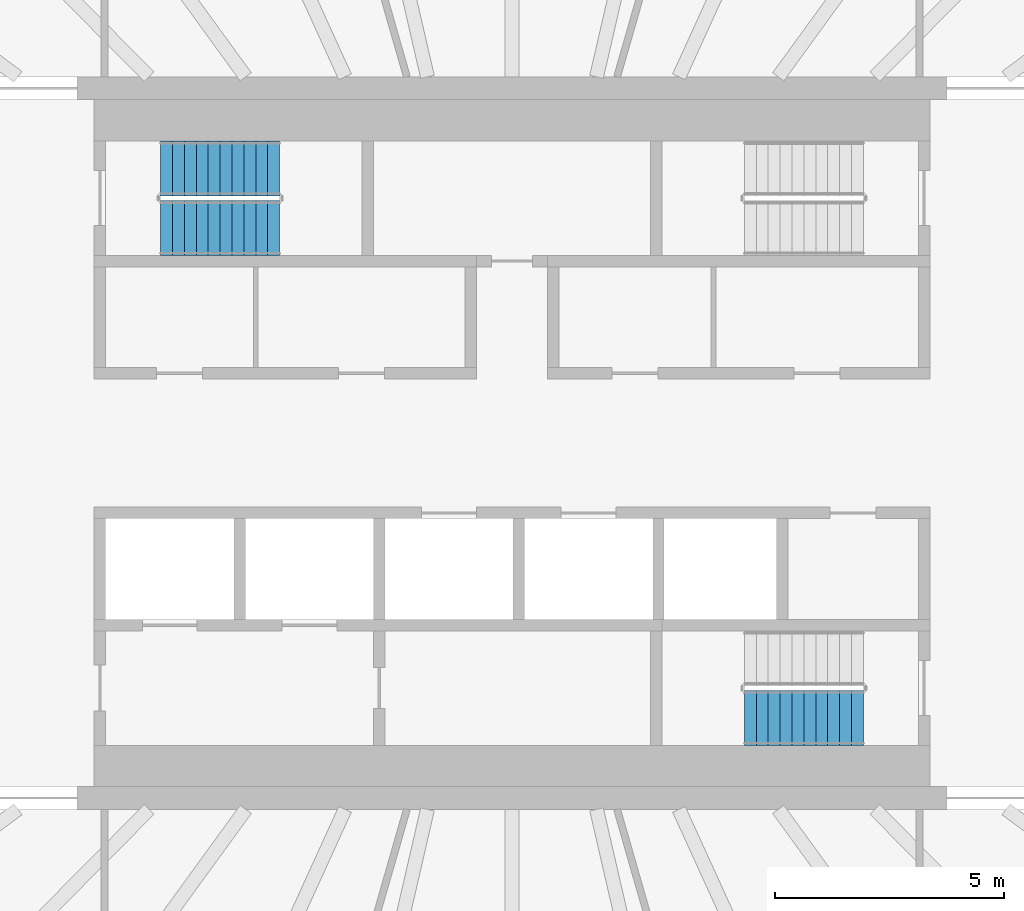
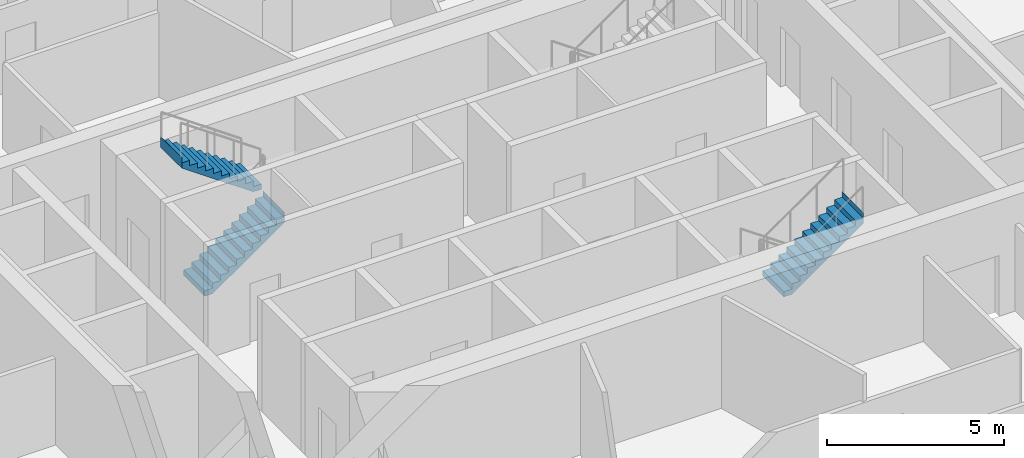
# One storey, part 17 of 25: 3 stair flights, 2 elements without a shape of their own.
"""IFC4 building model written with IfcOpenShell, lengths in metres."""

from ifc_helpers import new_model, si_unit, direction, frame, origin, place, context, subcontext, project, spatial, triangles, material, type_object, element, aggregate, save


model = new_model("IFC4")

# Units and contexts
model_context = context("Model", 3, precision=1e-05, world=origin(), true_north=direction((0.0, 1.0)))
body_context = subcontext(model_context, "Body", "Model", "MODEL_VIEW")
ifc_project = project(units=[si_unit("LENGTHUNIT", "METRE"), si_unit("AREAUNIT", "SQUARE_METRE"), si_unit("VOLUMEUNIT", "CUBIC_METRE"), si_unit("PLANEANGLEUNIT", "RADIAN"), si_unit("MASSUNIT", "GRAM", prefix="KILO")], contexts=[model_context])

# Site, building, storey
site_placement = place(None, origin())
site = spatial("IfcSite", under=ifc_project, at=site_placement, CompositionType="ELEMENT")
building_placement = place(site_placement, origin())
building = spatial("IfcBuilding", under=site, at=building_placement, Name="Sahrelin Media Tower", CompositionType="ELEMENT")
storey_placement = place(building_placement, frame((0.0, 0.0, 181.60009765625)))
storey = spatial("IfcBuildingStorey", under=building, at=storey_placement, Name="L38", CompositionType="ELEMENT", Elevation=181.60009765625)

# Stair, stair flights
ifc_material = material(Name="Concrete C40/50", Category="concrete")
stair_type = type_object("IfcStairType", Name="Exit stair 1200", PredefinedType="HALF_TURN_STAIR", material=ifc_material)
placement = place(storey_placement, origin())
stair_1 = element("IfcStair", 1, at=placement, inside=storey, type_object=stair_type, Name="L38 Exit stair ST1", PredefinedType="HALF_TURN_STAIR")
stair_flight_type = type_object("IfcStairFlightType", Name="Stair flight 1200", PredefinedType="STRAIGHT", material=ifc_material)
stair_flight_1_placement = place(storey_placement, frame((-7.675048828125, 4.699951171875, 0.0), z_axis=(0.0, 0.0, 1.0), x_axis=(1.0, 0.0, 0.0)))
stair_flight_1 = element("IfcStairFlight", 2, at=stair_flight_1_placement, type_object=stair_flight_type, Name="ST1 flight 1", NumberOfRisers=11, NumberOfTreads=10, PredefinedType="STRAIGHT", RiserHeight=0.181818182, TreadLength=0.26, context=body_context, shape_type="Tessellation", body=[
    triangles([(0.261474609375, 0.60009765625, 0.0), (0.261474609375, 0.300048828125, 0.0), (0.261474609375, 0.0, 0.0), (0.261474609375, -0.300048828125, 0.0), (0.261474609375, -0.60009765625, 0.0), (2.60009765625, 0.60009765625, 1.63525390625), (2.60009765625, 0.300048828125, 1.63525390625), (2.60009765625, 0.0, 1.63525390625), (2.60009765625, -0.300048828125, 1.63525390625), (2.60009765625, -0.60009765625, 1.63525390625), (2.60009765625, 0.60009765625, 2.0), (2.60009765625, 0.300048828125, 2.0), (2.60009765625, 0.0, 2.0), (2.60009765625, -0.300048828125, 2.0), (2.60009765625, -0.60009765625, 2.0), (2.597900390625, 0.60009765625, 2.0), (2.597900390625, 0.300048828125, 2.0), (2.597900390625, 0.0, 2.0), (2.597900390625, -0.300048828125, 2.0), (2.597900390625, -0.60009765625, 2.0), (2.597900390625, 0.60009765625, 1.818115234375), (2.597900390625, 0.300048828125, 1.818115234375), (2.597900390625, 0.0, 1.818115234375), (2.597900390625, -0.300048828125, 1.818115234375), (2.597900390625, -0.60009765625, 1.818115234375), (2.340087890625, 0.60009765625, 1.818115234375), (2.340087890625, 0.300048828125, 1.818115234375), (2.340087890625, 0.0, 1.818115234375), (2.340087890625, -0.300048828125, 1.818115234375), (2.340087890625, -0.60009765625, 1.818115234375), (2.340087890625, 0.60009765625, 1.636474609375), (2.340087890625, 0.300048828125, 1.636474609375), (2.340087890625, 0.0, 1.636474609375), (2.340087890625, -0.300048828125, 1.636474609375), (2.340087890625, -0.60009765625, 1.636474609375), (2.080078125, 0.60009765625, 1.636474609375), (2.080078125, 0.300048828125, 1.636474609375), (2.080078125, 0.0, 1.636474609375), (2.080078125, -0.300048828125, 1.636474609375), (2.080078125, -0.60009765625, 1.636474609375), (2.080078125, 0.60009765625, 1.45458984375), (2.080078125, 0.300048828125, 1.45458984375), (2.080078125, 0.0, 1.45458984375), (2.080078125, -0.300048828125, 1.45458984375), (2.080078125, -0.60009765625, 1.45458984375), (1.820068359375, 0.60009765625, 1.45458984375), (1.820068359375, 0.300048828125, 1.45458984375), (1.820068359375, 0.0, 1.45458984375), (1.820068359375, -0.300048828125, 1.45458984375), (1.820068359375, -0.60009765625, 1.45458984375), (1.820068359375, 0.60009765625, 1.272705078125), (1.820068359375, 0.300048828125, 1.272705078125), (1.820068359375, 0.0, 1.272705078125), (1.820068359375, -0.300048828125, 1.272705078125), (1.820068359375, -0.60009765625, 1.272705078125), (1.56005859375, 0.60009765625, 1.272705078125), (1.56005859375, 0.300048828125, 1.272705078125), (1.56005859375, 0.0, 1.272705078125), (1.56005859375, -0.300048828125, 1.272705078125), (1.56005859375, -0.60009765625, 1.272705078125), (1.56005859375, 0.60009765625, 1.0908203125), (1.56005859375, 0.300048828125, 1.0908203125), (1.56005859375, 0.0, 1.0908203125), (1.56005859375, -0.300048828125, 1.0908203125), (1.56005859375, -0.60009765625, 1.0908203125), (1.300048828125, 0.60009765625, 1.0908203125), (1.300048828125, 0.300048828125, 1.0908203125), (1.300048828125, 0.0, 1.0908203125), (1.300048828125, -0.300048828125, 1.0908203125), (1.300048828125, -0.60009765625, 1.0908203125), (1.300048828125, 0.60009765625, 0.9091796875), (1.300048828125, 0.300048828125, 0.9091796875), (1.300048828125, 0.0, 0.9091796875), (1.300048828125, -0.300048828125, 0.9091796875), (1.300048828125, -0.60009765625, 0.9091796875), (1.0400390625, 0.60009765625, 0.9091796875), (1.0400390625, 0.300048828125, 0.9091796875), (1.0400390625, 0.0, 0.9091796875), (1.0400390625, -0.300048828125, 0.9091796875), (1.0400390625, -0.60009765625, 0.9091796875), (1.0400390625, 0.60009765625, 0.727294921875), (1.0400390625, 0.300048828125, 0.727294921875), (1.0400390625, 0.0, 0.727294921875), (1.0400390625, -0.300048828125, 0.727294921875), (1.0400390625, -0.60009765625, 0.727294921875), (0.780029296875, 0.60009765625, 0.727294921875), (0.780029296875, 0.300048828125, 0.727294921875), (0.780029296875, 0.0, 0.727294921875), (0.780029296875, -0.300048828125, 0.727294921875), (0.780029296875, -0.60009765625, 0.727294921875), (0.780029296875, 0.60009765625, 0.54541015625), (0.780029296875, 0.300048828125, 0.54541015625), (0.780029296875, 0.0, 0.54541015625), (0.780029296875, -0.300048828125, 0.54541015625), (0.780029296875, -0.60009765625, 0.54541015625), (0.52001953125, 0.60009765625, 0.54541015625), (0.52001953125, 0.300048828125, 0.54541015625), (0.52001953125, 0.0, 0.54541015625), (0.52001953125, -0.300048828125, 0.54541015625), (0.52001953125, -0.60009765625, 0.54541015625), (0.52001953125, 0.60009765625, 0.363525390625), (0.52001953125, 0.300048828125, 0.363525390625), (0.52001953125, 0.0, 0.363525390625), (0.52001953125, -0.300048828125, 0.363525390625), (0.52001953125, -0.60009765625, 0.363525390625), (0.260009765625, 0.60009765625, 0.363525390625), (0.260009765625, 0.300048828125, 0.363525390625), (0.260009765625, 0.0, 0.363525390625), (0.260009765625, -0.300048828125, 0.363525390625), (0.260009765625, -0.60009765625, 0.363525390625), (0.260009765625, 0.60009765625, 0.181884765625), (0.260009765625, 0.300048828125, 0.181884765625), (0.260009765625, 0.0, 0.181884765625), (0.260009765625, -0.300048828125, 0.181884765625), (0.260009765625, -0.60009765625, 0.181884765625), (0.0, 0.60009765625, 0.181884765625), (0.0, 0.300048828125, 0.181884765625), (0.0, 0.0, 0.181884765625), (0.0, -0.300048828125, 0.181884765625), (0.0, -0.60009765625, 0.181884765625), (0.0, 0.60009765625, 0.0), (0.0, 0.300048828125, 0.0), (0.0, 0.0, 0.0), (0.0, -0.300048828125, 0.0), (0.0, -0.60009765625, 0.0)], [[1, 6, 7], [1, 7, 2], [2, 7, 8], [2, 8, 3], [3, 8, 9], [3, 9, 4], [4, 9, 10], [4, 10, 5], [6, 11, 12], [6, 12, 7], [7, 12, 13], [7, 13, 8], [8, 13, 14], [8, 14, 9], [9, 14, 15], [9, 15, 10], [11, 16, 17], [11, 17, 12], [12, 17, 18], [12, 18, 13], [13, 18, 19], [13, 19, 14], [14, 19, 20], [14, 20, 15], [16, 21, 22], [16, 22, 17], [17, 22, 23], [17, 23, 18], [18, 23, 24], [18, 24, 19], [19, 24, 25], [19, 25, 20], [21, 26, 27], [21, 27, 22], [22, 27, 28], [22, 28, 23], [23, 28, 29], [23, 29, 24], [24, 29, 30], [24, 30, 25], [26, 31, 32], [26, 32, 27], [27, 32, 33], [27, 33, 28], [28, 33, 34], [28, 34, 29], [29, 34, 35], [29, 35, 30], [31, 36, 37], [31, 37, 32], [32, 37, 38], [32, 38, 33], [33, 38, 39], [33, 39, 34], [34, 39, 40], [34, 40, 35], [36, 41, 42], [36, 42, 37], [37, 42, 43], [37, 43, 38], [38, 43, 44], [38, 44, 39], [39, 44, 45], [39, 45, 40], [41, 46, 47], [41, 47, 42], [42, 47, 48], [42, 48, 43], [43, 48, 49], [43, 49, 44], [44, 49, 50], [44, 50, 45], [46, 51, 52], [46, 52, 47], [47, 52, 53], [47, 53, 48], [48, 53, 54], [48, 54, 49], [49, 54, 55], [49, 55, 50], [51, 56, 57], [51, 57, 52], [52, 57, 58], [52, 58, 53], [53, 58, 59], [53, 59, 54], [54, 59, 60], [54, 60, 55], [56, 61, 62], [56, 62, 57], [57, 62, 63], [57, 63, 58], [58, 63, 64], [58, 64, 59], [59, 64, 65], [59, 65, 60], [61, 66, 67], [61, 67, 62], [62, 67, 68], [62, 68, 63], [63, 68, 69], [63, 69, 64], [64, 69, 70], [64, 70, 65], [66, 71, 72], [66, 72, 67], [67, 72, 73], [67, 73, 68], [68, 73, 74], [68, 74, 69], [69, 74, 75], [69, 75, 70], [71, 76, 77], [71, 77, 72], [72, 77, 78], [72, 78, 73], [73, 78, 79], [73, 79, 74], [74, 79, 80], [74, 80, 75], [76, 81, 82], [76, 82, 77], [77, 82, 83], [77, 83, 78], [78, 83, 84], [78, 84, 79], [79, 84, 85], [79, 85, 80], [81, 86, 87], [81, 87, 82], [82, 87, 88], [82, 88, 83], [83, 88, 89], [83, 89, 84], [84, 89, 90], [84, 90, 85], [86, 91, 92], [86, 92, 87], [87, 92, 93], [87, 93, 88], [88, 93, 94], [88, 94, 89], [89, 94, 95], [89, 95, 90], [91, 96, 97], [91, 97, 92], [92, 97, 98], [92, 98, 93], [93, 98, 99], [93, 99, 94], [94, 99, 100], [94, 100, 95], [96, 101, 102], [96, 102, 97], [97, 102, 103], [97, 103, 98], [98, 103, 104], [98, 104, 99], [99, 104, 105], [99, 105, 100], [101, 106, 107], [101, 107, 102], [102, 107, 108], [102, 108, 103], [103, 108, 109], [103, 109, 104], [104, 109, 110], [104, 110, 105], [106, 111, 112], [106, 112, 107], [107, 112, 113], [107, 113, 108], [108, 113, 114], [108, 114, 109], [109, 114, 115], [109, 115, 110], [111, 116, 117], [111, 117, 112], [112, 117, 118], [112, 118, 113], [113, 118, 119], [113, 119, 114], [114, 119, 120], [114, 120, 115], [116, 121, 122], [116, 122, 117], [117, 122, 123], [117, 123, 118], [118, 123, 124], [118, 124, 119], [119, 124, 125], [119, 125, 120], [121, 1, 2], [121, 2, 122], [122, 2, 3], [122, 3, 123], [123, 3, 4], [123, 4, 124], [124, 4, 5], [124, 5, 125], [115, 120, 125], [111, 121, 116], [115, 105, 110], [111, 106, 101], [105, 95, 100], [101, 96, 91], [95, 85, 90], [91, 86, 81], [85, 75, 80], [81, 76, 71], [75, 65, 70], [71, 66, 61], [65, 55, 60], [61, 56, 51], [55, 45, 50], [51, 46, 41], [45, 35, 40], [41, 36, 31], [35, 25, 30], [31, 26, 21], [25, 15, 20], [21, 16, 11], [125, 5, 115], [121, 111, 1], [25, 10, 15], [21, 11, 6], [105, 115, 5], [101, 1, 111], [35, 10, 25], [31, 21, 6], [95, 105, 5], [91, 1, 101], [45, 10, 35], [41, 31, 6], [85, 95, 5], [81, 1, 91], [55, 10, 45], [51, 41, 6], [75, 85, 5], [71, 1, 81], [65, 10, 55], [61, 51, 6], [5, 10, 75], [1, 71, 6], [75, 10, 65], [71, 61, 6]], closed=True),
])
stair_flight_2_placement = place(storey_placement, frame((-5.074951171875, 6.0, 2.0), z_axis=(0.0, 0.0, 1.0), x_axis=(-1.0, 0.0, 0.0)))
stair_flight_2 = element("IfcStairFlight", 3, at=stair_flight_2_placement, type_object=stair_flight_type, Name="ST1 flight 2", NumberOfRisers=11, NumberOfTreads=10, PredefinedType="STRAIGHT", RiserHeight=0.181818182, TreadLength=0.26, context=body_context, shape_type="Tessellation", body=[
    triangles([(0.261474609375, 0.60009765625, 0.0), (0.261474609375, 0.300048828125, 0.0), (0.261474609375, 0.0, 0.0), (0.261474609375, -0.300048828125, 0.0), (0.261474609375, -0.60009765625, 0.0), (2.60009765625, 0.60009765625, 1.63525390625), (2.60009765625, 0.300048828125, 1.63525390625), (2.60009765625, 0.0, 1.63525390625), (2.60009765625, -0.300048828125, 1.63525390625), (2.60009765625, -0.60009765625, 1.63525390625), (2.60009765625, 0.60009765625, 2.0), (2.60009765625, 0.300048828125, 2.0), (2.60009765625, 0.0, 2.0), (2.60009765625, -0.300048828125, 2.0), (2.60009765625, -0.60009765625, 2.0), (2.597900390625, 0.60009765625, 2.0), (2.597900390625, 0.300048828125, 2.0), (2.597900390625, 0.0, 2.0), (2.597900390625, -0.300048828125, 2.0), (2.597900390625, -0.60009765625, 2.0), (2.597900390625, 0.60009765625, 1.818115234375), (2.597900390625, 0.300048828125, 1.818115234375), (2.597900390625, 0.0, 1.818115234375), (2.597900390625, -0.300048828125, 1.818115234375), (2.597900390625, -0.60009765625, 1.818115234375), (2.340087890625, 0.60009765625, 1.818115234375), (2.340087890625, 0.300048828125, 1.818115234375), (2.340087890625, 0.0, 1.818115234375), (2.340087890625, -0.300048828125, 1.818115234375), (2.340087890625, -0.60009765625, 1.818115234375), (2.340087890625, 0.60009765625, 1.636474609375), (2.340087890625, 0.300048828125, 1.636474609375), (2.340087890625, 0.0, 1.636474609375), (2.340087890625, -0.300048828125, 1.636474609375), (2.340087890625, -0.60009765625, 1.636474609375), (2.080078125, 0.60009765625, 1.636474609375), (2.080078125, 0.300048828125, 1.636474609375), (2.080078125, 0.0, 1.636474609375), (2.080078125, -0.300048828125, 1.636474609375), (2.080078125, -0.60009765625, 1.636474609375), (2.080078125, 0.60009765625, 1.45458984375), (2.080078125, 0.300048828125, 1.45458984375), (2.080078125, 0.0, 1.45458984375), (2.080078125, -0.300048828125, 1.45458984375), (2.080078125, -0.60009765625, 1.45458984375), (1.820068359375, 0.60009765625, 1.45458984375), (1.820068359375, 0.300048828125, 1.45458984375), (1.820068359375, 0.0, 1.45458984375), (1.820068359375, -0.300048828125, 1.45458984375), (1.820068359375, -0.60009765625, 1.45458984375), (1.820068359375, 0.60009765625, 1.272705078125), (1.820068359375, 0.300048828125, 1.272705078125), (1.820068359375, 0.0, 1.272705078125), (1.820068359375, -0.300048828125, 1.272705078125), (1.820068359375, -0.60009765625, 1.272705078125), (1.56005859375, 0.60009765625, 1.272705078125), (1.56005859375, 0.300048828125, 1.272705078125), (1.56005859375, 0.0, 1.272705078125), (1.56005859375, -0.300048828125, 1.272705078125), (1.56005859375, -0.60009765625, 1.272705078125), (1.56005859375, 0.60009765625, 1.0908203125), (1.56005859375, 0.300048828125, 1.0908203125), (1.56005859375, 0.0, 1.0908203125), (1.56005859375, -0.300048828125, 1.0908203125), (1.56005859375, -0.60009765625, 1.0908203125), (1.300048828125, 0.60009765625, 1.0908203125), (1.300048828125, 0.300048828125, 1.0908203125), (1.300048828125, 0.0, 1.0908203125), (1.300048828125, -0.300048828125, 1.0908203125), (1.300048828125, -0.60009765625, 1.0908203125), (1.300048828125, 0.60009765625, 0.9091796875), (1.300048828125, 0.300048828125, 0.9091796875), (1.300048828125, 0.0, 0.9091796875), (1.300048828125, -0.300048828125, 0.9091796875), (1.300048828125, -0.60009765625, 0.9091796875), (1.0400390625, 0.60009765625, 0.9091796875), (1.0400390625, 0.300048828125, 0.9091796875), (1.0400390625, 0.0, 0.9091796875), (1.0400390625, -0.300048828125, 0.9091796875), (1.0400390625, -0.60009765625, 0.9091796875), (1.0400390625, 0.60009765625, 0.727294921875), (1.0400390625, 0.300048828125, 0.727294921875), (1.0400390625, 0.0, 0.727294921875), (1.0400390625, -0.300048828125, 0.727294921875), (1.0400390625, -0.60009765625, 0.727294921875), (0.780029296875, 0.60009765625, 0.727294921875), (0.780029296875, 0.300048828125, 0.727294921875), (0.780029296875, 0.0, 0.727294921875), (0.780029296875, -0.300048828125, 0.727294921875), (0.780029296875, -0.60009765625, 0.727294921875), (0.780029296875, 0.60009765625, 0.54541015625), (0.780029296875, 0.300048828125, 0.54541015625), (0.780029296875, 0.0, 0.54541015625), (0.780029296875, -0.300048828125, 0.54541015625), (0.780029296875, -0.60009765625, 0.54541015625), (0.52001953125, 0.60009765625, 0.54541015625), (0.52001953125, 0.300048828125, 0.54541015625), (0.52001953125, 0.0, 0.54541015625), (0.52001953125, -0.300048828125, 0.54541015625), (0.52001953125, -0.60009765625, 0.54541015625), (0.52001953125, 0.60009765625, 0.363525390625), (0.52001953125, 0.300048828125, 0.363525390625), (0.52001953125, 0.0, 0.363525390625), (0.52001953125, -0.300048828125, 0.363525390625), (0.52001953125, -0.60009765625, 0.363525390625), (0.260009765625, 0.60009765625, 0.363525390625), (0.260009765625, 0.300048828125, 0.363525390625), (0.260009765625, 0.0, 0.363525390625), (0.260009765625, -0.300048828125, 0.363525390625), (0.260009765625, -0.60009765625, 0.363525390625), (0.260009765625, 0.60009765625, 0.181884765625), (0.260009765625, 0.300048828125, 0.181884765625), (0.260009765625, 0.0, 0.181884765625), (0.260009765625, -0.300048828125, 0.181884765625), (0.260009765625, -0.60009765625, 0.181884765625), (0.0, 0.60009765625, 0.181884765625), (0.0, 0.300048828125, 0.181884765625), (0.0, 0.0, 0.181884765625), (0.0, -0.300048828125, 0.181884765625), (0.0, -0.60009765625, 0.181884765625), (0.0, 0.60009765625, 0.0), (0.0, 0.300048828125, 0.0), (0.0, 0.0, 0.0), (0.0, -0.300048828125, 0.0), (0.0, -0.60009765625, 0.0)], [[1, 6, 7], [1, 7, 2], [2, 7, 8], [2, 8, 3], [3, 8, 9], [3, 9, 4], [4, 9, 10], [4, 10, 5], [6, 11, 12], [6, 12, 7], [7, 12, 13], [7, 13, 8], [8, 13, 14], [8, 14, 9], [9, 14, 15], [9, 15, 10], [11, 16, 17], [11, 17, 12], [12, 17, 18], [12, 18, 13], [13, 18, 19], [13, 19, 14], [14, 19, 20], [14, 20, 15], [16, 21, 22], [16, 22, 17], [17, 22, 23], [17, 23, 18], [18, 23, 24], [18, 24, 19], [19, 24, 25], [19, 25, 20], [21, 26, 27], [21, 27, 22], [22, 27, 28], [22, 28, 23], [23, 28, 29], [23, 29, 24], [24, 29, 30], [24, 30, 25], [26, 31, 32], [26, 32, 27], [27, 32, 33], [27, 33, 28], [28, 33, 34], [28, 34, 29], [29, 34, 35], [29, 35, 30], [31, 36, 37], [31, 37, 32], [32, 37, 38], [32, 38, 33], [33, 38, 39], [33, 39, 34], [34, 39, 40], [34, 40, 35], [36, 41, 42], [36, 42, 37], [37, 42, 43], [37, 43, 38], [38, 43, 44], [38, 44, 39], [39, 44, 45], [39, 45, 40], [41, 46, 47], [41, 47, 42], [42, 47, 48], [42, 48, 43], [43, 48, 49], [43, 49, 44], [44, 49, 50], [44, 50, 45], [46, 51, 52], [46, 52, 47], [47, 52, 53], [47, 53, 48], [48, 53, 54], [48, 54, 49], [49, 54, 55], [49, 55, 50], [51, 56, 57], [51, 57, 52], [52, 57, 58], [52, 58, 53], [53, 58, 59], [53, 59, 54], [54, 59, 60], [54, 60, 55], [56, 61, 62], [56, 62, 57], [57, 62, 63], [57, 63, 58], [58, 63, 64], [58, 64, 59], [59, 64, 65], [59, 65, 60], [61, 66, 67], [61, 67, 62], [62, 67, 68], [62, 68, 63], [63, 68, 69], [63, 69, 64], [64, 69, 70], [64, 70, 65], [66, 71, 72], [66, 72, 67], [67, 72, 73], [67, 73, 68], [68, 73, 74], [68, 74, 69], [69, 74, 75], [69, 75, 70], [71, 76, 77], [71, 77, 72], [72, 77, 78], [72, 78, 73], [73, 78, 79], [73, 79, 74], [74, 79, 80], [74, 80, 75], [76, 81, 82], [76, 82, 77], [77, 82, 83], [77, 83, 78], [78, 83, 84], [78, 84, 79], [79, 84, 85], [79, 85, 80], [81, 86, 87], [81, 87, 82], [82, 87, 88], [82, 88, 83], [83, 88, 89], [83, 89, 84], [84, 89, 90], [84, 90, 85], [86, 91, 92], [86, 92, 87], [87, 92, 93], [87, 93, 88], [88, 93, 94], [88, 94, 89], [89, 94, 95], [89, 95, 90], [91, 96, 97], [91, 97, 92], [92, 97, 98], [92, 98, 93], [93, 98, 99], [93, 99, 94], [94, 99, 100], [94, 100, 95], [96, 101, 102], [96, 102, 97], [97, 102, 103], [97, 103, 98], [98, 103, 104], [98, 104, 99], [99, 104, 105], [99, 105, 100], [101, 106, 107], [101, 107, 102], [102, 107, 108], [102, 108, 103], [103, 108, 109], [103, 109, 104], [104, 109, 110], [104, 110, 105], [106, 111, 112], [106, 112, 107], [107, 112, 113], [107, 113, 108], [108, 113, 114], [108, 114, 109], [109, 114, 115], [109, 115, 110], [111, 116, 117], [111, 117, 112], [112, 117, 118], [112, 118, 113], [113, 118, 119], [113, 119, 114], [114, 119, 120], [114, 120, 115], [116, 121, 122], [116, 122, 117], [117, 122, 123], [117, 123, 118], [118, 123, 124], [118, 124, 119], [119, 124, 125], [119, 125, 120], [121, 1, 2], [121, 2, 122], [122, 2, 3], [122, 3, 123], [123, 3, 4], [123, 4, 124], [124, 4, 5], [124, 5, 125], [115, 120, 125], [111, 121, 116], [115, 105, 110], [111, 106, 101], [105, 95, 100], [101, 96, 91], [95, 85, 90], [91, 86, 81], [85, 75, 80], [81, 76, 71], [75, 65, 70], [71, 66, 61], [65, 55, 60], [61, 56, 51], [55, 45, 50], [51, 46, 41], [45, 35, 40], [41, 36, 31], [35, 25, 30], [31, 26, 21], [25, 15, 20], [21, 16, 11], [125, 5, 115], [121, 111, 1], [25, 10, 15], [21, 11, 6], [105, 115, 5], [101, 1, 111], [35, 10, 25], [31, 21, 6], [95, 105, 5], [91, 1, 101], [45, 10, 35], [41, 31, 6], [85, 95, 5], [81, 1, 91], [55, 10, 45], [51, 41, 6], [75, 85, 5], [71, 1, 81], [65, 10, 55], [61, 51, 6], [5, 10, 75], [1, 71, 6], [75, 10, 65], [71, 61, 6]], closed=True),
])
aggregate(stair_1, [stair_flight_1, stair_flight_2])

# Stair, stair flight
stair_2 = element("IfcStair", 4, at=placement, inside=storey, type_object=stair_type, Name="L38 Exit stair ST2", PredefinedType="HALF_TURN_STAIR")
stair_flight_3_placement = place(storey_placement, frame((5.074951171875, -6.0, 2.0), z_axis=(0.0, 0.0, 1.0), x_axis=(1.0, 0.0, 0.0)))
stair_flight_3 = element("IfcStairFlight", 5, at=stair_flight_3_placement, type_object=stair_flight_type, Name="ST2 flight 2", NumberOfRisers=11, NumberOfTreads=10, PredefinedType="STRAIGHT", RiserHeight=0.181818182, TreadLength=0.26, context=body_context, shape_type="Tessellation", body=[
    triangles([(0.261474609375, 0.60009765625, 0.0), (0.261474609375, 0.300048828125, 0.0), (0.261474609375, 0.0, 0.0), (0.261474609375, -0.300048828125, 0.0), (0.261474609375, -0.60009765625, 0.0), (2.60009765625, 0.60009765625, 1.63525390625), (2.60009765625, 0.300048828125, 1.63525390625), (2.60009765625, 0.0, 1.63525390625), (2.60009765625, -0.300048828125, 1.63525390625), (2.60009765625, -0.60009765625, 1.63525390625), (2.60009765625, 0.60009765625, 2.0), (2.60009765625, 0.300048828125, 2.0), (2.60009765625, 0.0, 2.0), (2.60009765625, -0.300048828125, 2.0), (2.60009765625, -0.60009765625, 2.0), (2.597900390625, 0.60009765625, 2.0), (2.597900390625, 0.300048828125, 2.0), (2.597900390625, 0.0, 2.0), (2.597900390625, -0.300048828125, 2.0), (2.597900390625, -0.60009765625, 2.0), (2.597900390625, 0.60009765625, 1.818115234375), (2.597900390625, 0.300048828125, 1.818115234375), (2.597900390625, 0.0, 1.818115234375), (2.597900390625, -0.300048828125, 1.818115234375), (2.597900390625, -0.60009765625, 1.818115234375), (2.340087890625, 0.60009765625, 1.818115234375), (2.340087890625, 0.300048828125, 1.818115234375), (2.340087890625, 0.0, 1.818115234375), (2.340087890625, -0.300048828125, 1.818115234375), (2.340087890625, -0.60009765625, 1.818115234375), (2.340087890625, 0.60009765625, 1.636474609375), (2.340087890625, 0.300048828125, 1.636474609375), (2.340087890625, 0.0, 1.636474609375), (2.340087890625, -0.300048828125, 1.636474609375), (2.340087890625, -0.60009765625, 1.636474609375), (2.080078125, 0.60009765625, 1.636474609375), (2.080078125, 0.300048828125, 1.636474609375), (2.080078125, 0.0, 1.636474609375), (2.080078125, -0.300048828125, 1.636474609375), (2.080078125, -0.60009765625, 1.636474609375), (2.080078125, 0.60009765625, 1.45458984375), (2.080078125, 0.300048828125, 1.45458984375), (2.080078125, 0.0, 1.45458984375), (2.080078125, -0.300048828125, 1.45458984375), (2.080078125, -0.60009765625, 1.45458984375), (1.820068359375, 0.60009765625, 1.45458984375), (1.820068359375, 0.300048828125, 1.45458984375), (1.820068359375, 0.0, 1.45458984375), (1.820068359375, -0.300048828125, 1.45458984375), (1.820068359375, -0.60009765625, 1.45458984375), (1.820068359375, 0.60009765625, 1.272705078125), (1.820068359375, 0.300048828125, 1.272705078125), (1.820068359375, 0.0, 1.272705078125), (1.820068359375, -0.300048828125, 1.272705078125), (1.820068359375, -0.60009765625, 1.272705078125), (1.56005859375, 0.60009765625, 1.272705078125), (1.56005859375, 0.300048828125, 1.272705078125), (1.56005859375, 0.0, 1.272705078125), (1.56005859375, -0.300048828125, 1.272705078125), (1.56005859375, -0.60009765625, 1.272705078125), (1.56005859375, 0.60009765625, 1.0908203125), (1.56005859375, 0.300048828125, 1.0908203125), (1.56005859375, 0.0, 1.0908203125), (1.56005859375, -0.300048828125, 1.0908203125), (1.56005859375, -0.60009765625, 1.0908203125), (1.300048828125, 0.60009765625, 1.0908203125), (1.300048828125, 0.300048828125, 1.0908203125), (1.300048828125, 0.0, 1.0908203125), (1.300048828125, -0.300048828125, 1.0908203125), (1.300048828125, -0.60009765625, 1.0908203125), (1.300048828125, 0.60009765625, 0.9091796875), (1.300048828125, 0.300048828125, 0.9091796875), (1.300048828125, 0.0, 0.9091796875), (1.300048828125, -0.300048828125, 0.9091796875), (1.300048828125, -0.60009765625, 0.9091796875), (1.0400390625, 0.60009765625, 0.9091796875), (1.0400390625, 0.300048828125, 0.9091796875), (1.0400390625, 0.0, 0.9091796875), (1.0400390625, -0.300048828125, 0.9091796875), (1.0400390625, -0.60009765625, 0.9091796875), (1.0400390625, 0.60009765625, 0.727294921875), (1.0400390625, 0.300048828125, 0.727294921875), (1.0400390625, 0.0, 0.727294921875), (1.0400390625, -0.300048828125, 0.727294921875), (1.0400390625, -0.60009765625, 0.727294921875), (0.780029296875, 0.60009765625, 0.727294921875), (0.780029296875, 0.300048828125, 0.727294921875), (0.780029296875, 0.0, 0.727294921875), (0.780029296875, -0.300048828125, 0.727294921875), (0.780029296875, -0.60009765625, 0.727294921875), (0.780029296875, 0.60009765625, 0.54541015625), (0.780029296875, 0.300048828125, 0.54541015625), (0.780029296875, 0.0, 0.54541015625), (0.780029296875, -0.300048828125, 0.54541015625), (0.780029296875, -0.60009765625, 0.54541015625), (0.52001953125, 0.60009765625, 0.54541015625), (0.52001953125, 0.300048828125, 0.54541015625), (0.52001953125, 0.0, 0.54541015625), (0.52001953125, -0.300048828125, 0.54541015625), (0.52001953125, -0.60009765625, 0.54541015625), (0.52001953125, 0.60009765625, 0.363525390625), (0.52001953125, 0.300048828125, 0.363525390625), (0.52001953125, 0.0, 0.363525390625), (0.52001953125, -0.300048828125, 0.363525390625), (0.52001953125, -0.60009765625, 0.363525390625), (0.260009765625, 0.60009765625, 0.363525390625), (0.260009765625, 0.300048828125, 0.363525390625), (0.260009765625, 0.0, 0.363525390625), (0.260009765625, -0.300048828125, 0.363525390625), (0.260009765625, -0.60009765625, 0.363525390625), (0.260009765625, 0.60009765625, 0.181884765625), (0.260009765625, 0.300048828125, 0.181884765625), (0.260009765625, 0.0, 0.181884765625), (0.260009765625, -0.300048828125, 0.181884765625), (0.260009765625, -0.60009765625, 0.181884765625), (0.0, 0.60009765625, 0.181884765625), (0.0, 0.300048828125, 0.181884765625), (0.0, 0.0, 0.181884765625), (0.0, -0.300048828125, 0.181884765625), (0.0, -0.60009765625, 0.181884765625), (0.0, 0.60009765625, 0.0), (0.0, 0.300048828125, 0.0), (0.0, 0.0, 0.0), (0.0, -0.300048828125, 0.0), (0.0, -0.60009765625, 0.0)], [[1, 6, 7], [1, 7, 2], [2, 7, 8], [2, 8, 3], [3, 8, 9], [3, 9, 4], [4, 9, 10], [4, 10, 5], [6, 11, 12], [6, 12, 7], [7, 12, 13], [7, 13, 8], [8, 13, 14], [8, 14, 9], [9, 14, 15], [9, 15, 10], [11, 16, 17], [11, 17, 12], [12, 17, 18], [12, 18, 13], [13, 18, 19], [13, 19, 14], [14, 19, 20], [14, 20, 15], [16, 21, 22], [16, 22, 17], [17, 22, 23], [17, 23, 18], [18, 23, 24], [18, 24, 19], [19, 24, 25], [19, 25, 20], [21, 26, 27], [21, 27, 22], [22, 27, 28], [22, 28, 23], [23, 28, 29], [23, 29, 24], [24, 29, 30], [24, 30, 25], [26, 31, 32], [26, 32, 27], [27, 32, 33], [27, 33, 28], [28, 33, 34], [28, 34, 29], [29, 34, 35], [29, 35, 30], [31, 36, 37], [31, 37, 32], [32, 37, 38], [32, 38, 33], [33, 38, 39], [33, 39, 34], [34, 39, 40], [34, 40, 35], [36, 41, 42], [36, 42, 37], [37, 42, 43], [37, 43, 38], [38, 43, 44], [38, 44, 39], [39, 44, 45], [39, 45, 40], [41, 46, 47], [41, 47, 42], [42, 47, 48], [42, 48, 43], [43, 48, 49], [43, 49, 44], [44, 49, 50], [44, 50, 45], [46, 51, 52], [46, 52, 47], [47, 52, 53], [47, 53, 48], [48, 53, 54], [48, 54, 49], [49, 54, 55], [49, 55, 50], [51, 56, 57], [51, 57, 52], [52, 57, 58], [52, 58, 53], [53, 58, 59], [53, 59, 54], [54, 59, 60], [54, 60, 55], [56, 61, 62], [56, 62, 57], [57, 62, 63], [57, 63, 58], [58, 63, 64], [58, 64, 59], [59, 64, 65], [59, 65, 60], [61, 66, 67], [61, 67, 62], [62, 67, 68], [62, 68, 63], [63, 68, 69], [63, 69, 64], [64, 69, 70], [64, 70, 65], [66, 71, 72], [66, 72, 67], [67, 72, 73], [67, 73, 68], [68, 73, 74], [68, 74, 69], [69, 74, 75], [69, 75, 70], [71, 76, 77], [71, 77, 72], [72, 77, 78], [72, 78, 73], [73, 78, 79], [73, 79, 74], [74, 79, 80], [74, 80, 75], [76, 81, 82], [76, 82, 77], [77, 82, 83], [77, 83, 78], [78, 83, 84], [78, 84, 79], [79, 84, 85], [79, 85, 80], [81, 86, 87], [81, 87, 82], [82, 87, 88], [82, 88, 83], [83, 88, 89], [83, 89, 84], [84, 89, 90], [84, 90, 85], [86, 91, 92], [86, 92, 87], [87, 92, 93], [87, 93, 88], [88, 93, 94], [88, 94, 89], [89, 94, 95], [89, 95, 90], [91, 96, 97], [91, 97, 92], [92, 97, 98], [92, 98, 93], [93, 98, 99], [93, 99, 94], [94, 99, 100], [94, 100, 95], [96, 101, 102], [96, 102, 97], [97, 102, 103], [97, 103, 98], [98, 103, 104], [98, 104, 99], [99, 104, 105], [99, 105, 100], [101, 106, 107], [101, 107, 102], [102, 107, 108], [102, 108, 103], [103, 108, 109], [103, 109, 104], [104, 109, 110], [104, 110, 105], [106, 111, 112], [106, 112, 107], [107, 112, 113], [107, 113, 108], [108, 113, 114], [108, 114, 109], [109, 114, 115], [109, 115, 110], [111, 116, 117], [111, 117, 112], [112, 117, 118], [112, 118, 113], [113, 118, 119], [113, 119, 114], [114, 119, 120], [114, 120, 115], [116, 121, 122], [116, 122, 117], [117, 122, 123], [117, 123, 118], [118, 123, 124], [118, 124, 119], [119, 124, 125], [119, 125, 120], [121, 1, 2], [121, 2, 122], [122, 2, 3], [122, 3, 123], [123, 3, 4], [123, 4, 124], [124, 4, 5], [124, 5, 125], [115, 120, 125], [111, 121, 116], [115, 105, 110], [111, 106, 101], [105, 95, 100], [101, 96, 91], [95, 85, 90], [91, 86, 81], [85, 75, 80], [81, 76, 71], [75, 65, 70], [71, 66, 61], [65, 55, 60], [61, 56, 51], [55, 45, 50], [51, 46, 41], [45, 35, 40], [41, 36, 31], [35, 25, 30], [31, 26, 21], [25, 15, 20], [21, 16, 11], [125, 5, 115], [121, 111, 1], [25, 10, 15], [21, 11, 6], [105, 115, 5], [101, 1, 111], [35, 10, 25], [31, 21, 6], [95, 105, 5], [91, 1, 101], [45, 10, 35], [41, 31, 6], [85, 95, 5], [81, 1, 91], [55, 10, 45], [51, 41, 6], [75, 85, 5], [71, 1, 81], [65, 10, 55], [61, 51, 6], [5, 10, 75], [1, 71, 6], [75, 10, 65], [71, 61, 6]], closed=True),
])
aggregate(stair_2, [stair_flight_3])

save(model, "model.ifc")
